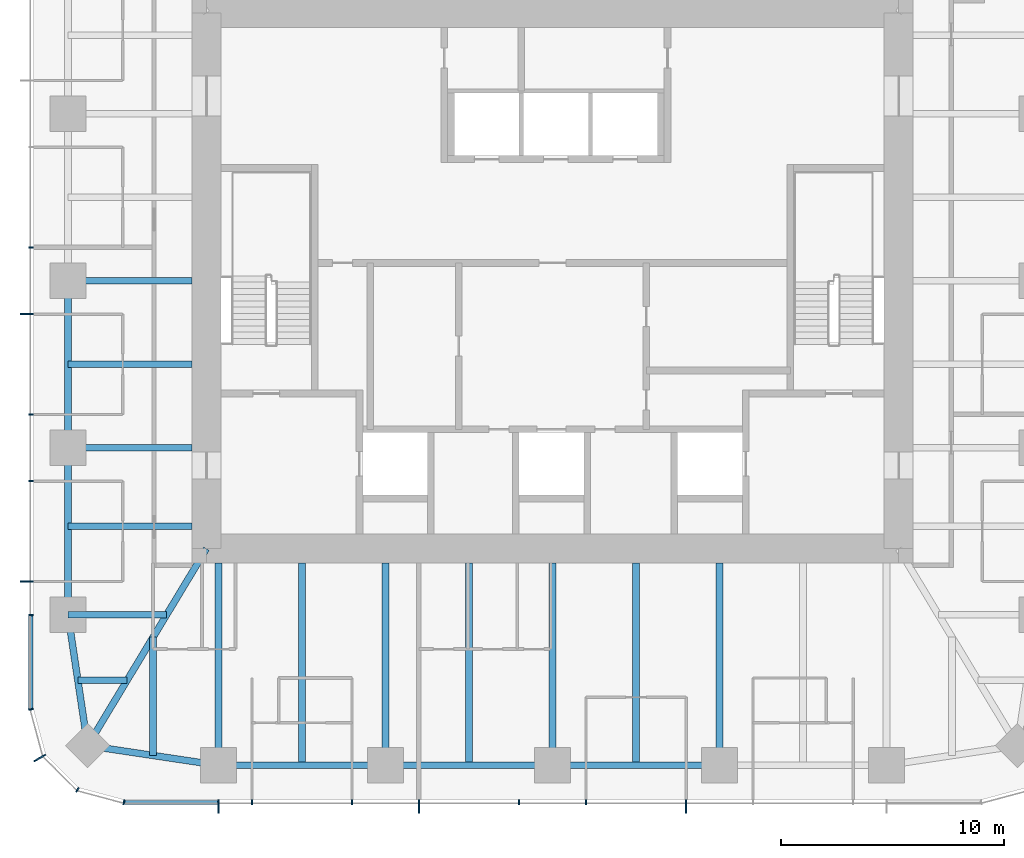
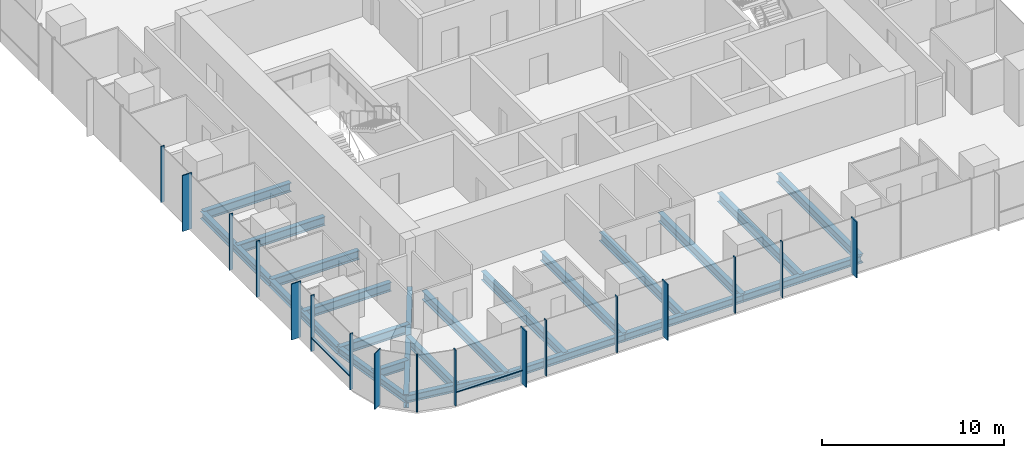
# One storey, part 2 of 12: 22 beams, 19 members, 3 elements without a shape of their own.
"""IFC4 building model written with IfcOpenShell, lengths in metres."""

from ifc_helpers import new_model, si_unit, direction, frame, origin, origin_2d, place, context, subcontext, project, spatial, rectangle, i_section, extrude, material, material_profile, profile_set, type_object, element, aggregate, save


model = new_model("IFC4")

# Units and contexts
model_context = context("Model", 3, precision=1e-05, world=origin(), true_north=direction((0.0, 1.0)))
body_context = subcontext(model_context, "Body", "Model", "MODEL_VIEW")
ifc_project = project(units=[si_unit("LENGTHUNIT", "METRE"), si_unit("AREAUNIT", "SQUARE_METRE"), si_unit("VOLUMEUNIT", "CUBIC_METRE"), si_unit("PLANEANGLEUNIT", "RADIAN"), si_unit("MASSUNIT", "GRAM", prefix="KILO")], contexts=[model_context])

# Site, building, storey
site_placement = place(None, origin())
site = spatial("IfcSite", under=ifc_project, at=site_placement, CompositionType="ELEMENT")
building_placement = place(site_placement, origin())
building = spatial("IfcBuilding", under=site, at=building_placement, Name="Khuree Lantern Residences", CompositionType="ELEMENT")
storey_placement = place(building_placement, frame((0.0, 0.0, 319.5)))
storey = spatial("IfcBuildingStorey", under=building, at=storey_placement, Name="L80", CompositionType="ELEMENT", Elevation=319.5)

# Beams
ifc_material_1 = material(Name="Steel S355", Category="steel")
ifc_material_profile_1 = material_profile(ifc_material_1, i_section(OverallWidth=0.300048828125, OverallDepth=0.590087890625, WebThickness=0.012939453125, FlangeThickness=0.02490234375, FilletRadius=0.027099609375, at=origin_2d()), Name="HE 600 A")
ifc_profile_set_1 = profile_set([ifc_material_profile_1], Name="Steel S355")
beam_type_1 = type_object("IfcBeamType", Name="B-43 SECONDARY BEAM HE 600 A", PredefinedType="BEAM", material=ifc_profile_set_1)
for number, where, z_axis, x_axis, name in (
    (1, (3.739990234375, -21.699951171875, -0.544921875), (0.0, 1.0, 0.0), (-1.0, 0.0, 0.0), "Secondary beam S3"),
    (2, (-3.739990234375, -21.699951171875, -0.544921875), (0.0, 1.0, 0.0), (-1.0, 0.0, 0.0), "Secondary beam S4"),
    (3, (-11.219970703125, -21.699951171875, -0.544921875), (0.0, 1.0, 0.0), (-1.0, 0.0, 0.0), "Secondary beam S5"),
):
    element("IfcBeam", number, at=place(storey_placement, frame(where, z_axis=z_axis, x_axis=x_axis)), inside=storey, type_object=beam_type_1, Name=name, PredefinedType="BEAM", context=body_context, shape_type="SweptSolid", body=[
        extrude(i_section(OverallWidth=0.300048828125, OverallDepth=0.590087890625, WebThickness=0.012939453125, FlangeThickness=0.02490234375, FilletRadius=0.027099609375, at=origin_2d()), origin(), (0.0, 0.0, 1.0), 9.050048828125),
    ])
beam_1_placement = place(storey_placement, frame((-17.890625, -21.2607421875, -0.544921875), z_axis=(0.0, 1.0, 0.0), x_axis=(-1.0, 0.0, 0.0)))
element("IfcBeam", 4, at=beam_1_placement, inside=storey, type_object=beam_type_1, Name="Secondary beam S6", PredefinedType="BEAM", context=body_context, shape_type="SweptSolid", body=[
    extrude(i_section(OverallWidth=0.300048828125, OverallDepth=0.590087890625, WebThickness=0.012939453125, FlangeThickness=0.02490234375, FilletRadius=0.027099609375, at=origin_2d()), origin(), (0.0, 0.0, 1.0), 5.297607421875),
])
beam_2_placement = place(storey_placement, frame((-21.2607421875, -17.890625, -0.544921875), z_axis=(1.0, 0.0, 0.0), x_axis=(0.0, 1.0, 0.0)))
element("IfcBeam", 5, at=beam_2_placement, inside=storey, type_object=beam_type_1, Name="Secondary beam W1", PredefinedType="BEAM", context=body_context, shape_type="SweptSolid", body=[
    extrude(i_section(OverallWidth=0.300048828125, OverallDepth=0.590087890625, WebThickness=0.012939453125, FlangeThickness=0.02490234375, FilletRadius=0.027099609375, at=origin_2d()), origin(), (0.0, 0.0, 1.0), 2.207275390625),
])
for number, where, z_axis, x_axis, name in (
    (6, (-21.699951171875, -11.0, -0.544921875), (1.0, 0.0, 0.0), (0.0, 1.0, 0.0), "Secondary beam W2"),
    (7, (-21.699951171875, -3.739990234375, -0.544921875), (1.0, 0.0, 0.0), (0.0, 1.0, 0.0), "Secondary beam W3"),
):
    element("IfcBeam", number, at=place(storey_placement, frame(where, z_axis=z_axis, x_axis=x_axis)), inside=storey, type_object=beam_type_1, Name=name, PredefinedType="BEAM", context=body_context, shape_type="SweptSolid", body=[
        extrude(i_section(OverallWidth=0.300048828125, OverallDepth=0.590087890625, WebThickness=0.012939453125, FlangeThickness=0.02490234375, FilletRadius=0.027099609375, at=origin_2d()), origin(), (0.0, 0.0, 1.0), 5.550048828125),
    ])
ifc_material_profile_2 = material_profile(ifc_material_1, i_section(OverallWidth=0.300048828125, OverallDepth=0.489990234375, WebThickness=0.011962890625, FlangeThickness=0.02294921875, FilletRadius=0.027099609375, at=origin_2d()), Name="HE 500 A")
ifc_profile_set_2 = profile_set([ifc_material_profile_2], Name="Steel S355")
beam_type_2 = type_object("IfcBeamType", Name="E-43 SPANDREL BEAM HE 500 A", PredefinedType="SPANDREL", material=ifc_profile_set_2)
for number, where, z_axis, x_axis, name in (
    (8, (7.47998046875, -21.699951171875, -0.4951171875), (-1.0, 0.0, 0.0), (0.0, -1.0, 0.0), "Spandrel beam S3"),
    (9, (0.0, -21.699951171875, -0.4951171875), (-1.0, 0.0, 0.0), (0.0, -1.0, 0.0), "Spandrel beam S4"),
    (10, (-7.47998046875, -21.699951171875, -0.4951171875), (-1.0, 0.0, 0.0), (0.0, -1.0, 0.0), "Spandrel beam S5"),
):
    element("IfcBeam", number, at=place(storey_placement, frame(where, z_axis=z_axis, x_axis=x_axis)), inside=storey, type_object=beam_type_2, Name=name, PredefinedType="SPANDREL", context=body_context, shape_type="SweptSolid", body=[
        extrude(i_section(OverallWidth=0.300048828125, OverallDepth=0.489990234375, WebThickness=0.011962890625, FlangeThickness=0.02294921875, FilletRadius=0.027099609375, at=origin_2d()), origin(), (0.0, 0.0, 1.0), 7.47998046875),
    ])
for number, where, z_axis, x_axis, name in (
    (11, (-14.9599609375, -21.699951171875, -0.4951171875), (-0.988949643299, 0.148251822985, 0.0), (-0.148251822985, -0.988949643299, 0.0), "Spandrel beam S6"),
    (12, (-20.8212890625, -20.8212890625, -0.4951171875), (-0.148251822985, 0.988949643299, 0.0), (-0.988949643299, -0.148251822985, 0.0), "Spandrel beam W1"),
):
    element("IfcBeam", number, at=place(storey_placement, frame(where, z_axis=z_axis, x_axis=x_axis)), inside=storey, type_object=beam_type_2, Name=name, PredefinedType="SPANDREL", context=body_context, shape_type="SweptSolid", body=[
        extrude(i_section(OverallWidth=0.300048828125, OverallDepth=0.489990234375, WebThickness=0.011962890625, FlangeThickness=0.02294921875, FilletRadius=0.027099609375, at=origin_2d()), origin(), (0.0, 0.0, 1.0), 5.9267578125),
    ])
for number, where, z_axis, x_axis, name in (
    (13, (-21.699951171875, -14.9599609375, -0.4951171875), (0.0, 1.0, 0.0), (-1.0, 0.0, 0.0), "Spandrel beam W2"),
    (14, (-21.699951171875, -7.47998046875, -0.4951171875), (0.0, 1.0, 0.0), (-1.0, 0.0, 0.0), "Spandrel beam W3"),
):
    element("IfcBeam", number, at=place(storey_placement, frame(where, z_axis=z_axis, x_axis=x_axis)), inside=storey, type_object=beam_type_2, Name=name, PredefinedType="SPANDREL", context=body_context, shape_type="SweptSolid", body=[
        extrude(i_section(OverallWidth=0.300048828125, OverallDepth=0.489990234375, WebThickness=0.011962890625, FlangeThickness=0.02294921875, FilletRadius=0.027099609375, at=origin_2d()), origin(), (0.0, 0.0, 1.0), 7.47998046875),
    ])

# Curtain wall, members
ifc_material_2 = material(Name="Bronze anodised aluminium", Category="aluminium")
curtain_wall_type_1 = type_object("IfcCurtainWallType", Name="CW-T1 TOWER FACE CURTAIN WALL", PredefinedType="USERDEFINED", material=ifc_material_2)
curtain_wall_1_placement = place(storey_placement, origin())
curtain_wall_1 = element("IfcCurtainWall", 15, at=curtain_wall_1_placement, inside=storey, type_object=curtain_wall_type_1, Name="L80 WEST FACE CURTAIN WALL", ObjectType="Stick-built curtain wall", PredefinedType="USERDEFINED")
ifc_material_profile_3 = material_profile(ifc_material_2, rectangle(XDim=0.06494140625, YDim=0.60009765625, at=origin_2d()), Name="F1 65X600")
ifc_profile_set_3 = profile_set([ifc_material_profile_3], Name="Bronze anodised aluminium")
member_type_1 = type_object("IfcMemberType", Name="F1 BRONZE FIN MULLION TOWER 65X600", PredefinedType="MULLION", material=ifc_profile_set_3)
member_1_placement = place(storey_placement, frame((-23.550048828125, -1.49609375, 0.0), z_axis=(0.0, 0.0, 1.0), x_axis=(0.0, -1.0, 0.0)))
member_1 = element("IfcMember", 16, at=member_1_placement, type_object=member_type_1, Name="L80 WEST FACE FIN MULLION 38", PredefinedType="MULLION", context=body_context, shape_type="SweptSolid", body=[
    extrude(rectangle(XDim=0.06494140625, YDim=0.60009765625, at=origin_2d()), origin(), (0.0, 0.0, 1.0), 3.75),
])
member_2_placement = place(storey_placement, frame((-23.550048828125, -13.464111328125, 0.0), z_axis=(0.0, 0.0, 1.0), x_axis=(0.0, -1.0, 0.0)))
member_2 = element("IfcMember", 17, at=member_2_placement, type_object=member_type_1, Name="L80 WEST FACE FIN MULLION 41", PredefinedType="MULLION", context=body_context, shape_type="SweptSolid", body=[
    extrude(rectangle(XDim=0.06494140625, YDim=0.60009765625, at=origin_2d()), origin(), (0.0, 0.0, 1.0), 3.75),
])

# Curtain wall, member
curtain_wall_type_2 = type_object("IfcCurtainWallType", Name="CW-T2 TOWER CORNER CURTAIN WALL", PredefinedType="USERDEFINED", material=ifc_material_2)
curtain_wall_2_placement = place(storey_placement, origin())
curtain_wall_2 = element("IfcCurtainWall", 18, at=curtain_wall_2_placement, inside=storey, type_object=curtain_wall_type_2, Name="L80 SOUTH-WEST CORNER CURTAIN WALL", ObjectType="Faceted corner curtain wall", PredefinedType="USERDEFINED")
member_3_placement = place(storey_placement, frame((-22.96728515625, -21.375, 0.0), z_axis=(0.0, 0.0, 1.0), x_axis=(0.49999994149, -0.866025437565, 0.0)))
member_3 = element("IfcMember", 19, at=member_3_placement, type_object=member_type_1, Name="L80 SOUTH-WEST CORNER FIN MULLION 44", PredefinedType="MULLION", context=body_context, shape_type="SweptSolid", body=[
    extrude(rectangle(XDim=0.06494140625, YDim=0.60009765625, at=origin_2d()), origin(), (0.0, 0.0, 1.0), 3.75),
])

# Curtain wall, members
curtain_wall_3_placement = place(storey_placement, origin())
curtain_wall_3 = element("IfcCurtainWall", 20, at=curtain_wall_3_placement, inside=storey, type_object=curtain_wall_type_1, Name="L80 SOUTH FACE CURTAIN WALL", ObjectType="Stick-built curtain wall", PredefinedType="USERDEFINED")
member_4_placement = place(storey_placement, frame((-14.9599609375, -23.550048828125, 0.0), z_axis=(0.0, 0.0, 1.0), x_axis=(1.0, 0.0, 0.0)))
member_4 = element("IfcMember", 21, at=member_4_placement, type_object=member_type_1, Name="L80 SOUTH FACE FIN MULLION 47", PredefinedType="MULLION", context=body_context, shape_type="SweptSolid", body=[
    extrude(rectangle(XDim=0.06494140625, YDim=0.60009765625, at=origin_2d()), origin(), (0.0, 0.0, 1.0), 3.75),
])
member_5_placement = place(storey_placement, frame((-5.98388671875, -23.550048828125, 0.0), z_axis=(0.0, 0.0, 1.0), x_axis=(1.0, 0.0, 0.0)))
member_5 = element("IfcMember", 22, at=member_5_placement, type_object=member_type_1, Name="L80 SOUTH FACE FIN MULLION 50", PredefinedType="MULLION", context=body_context, shape_type="SweptSolid", body=[
    extrude(rectangle(XDim=0.06494140625, YDim=0.60009765625, at=origin_2d()), origin(), (0.0, 0.0, 1.0), 3.75),
])
member_6_placement = place(storey_placement, frame((5.98388671875, -23.550048828125, 0.0), z_axis=(0.0, 0.0, 1.0), x_axis=(1.0, 0.0, 0.0)))
member_6 = element("IfcMember", 23, at=member_6_placement, type_object=member_type_1, Name="L80 SOUTH FACE FIN MULLION 53", PredefinedType="MULLION", context=body_context, shape_type="SweptSolid", body=[
    extrude(rectangle(XDim=0.06494140625, YDim=0.60009765625, at=origin_2d()), origin(), (0.0, 0.0, 1.0), 3.75),
])

# Beams
ifc_material_profile_4 = material_profile(ifc_material_1, i_section(OverallWidth=0.300048828125, OverallDepth=0.60009765625, WebThickness=0.015380859375, FlangeThickness=0.030029296875, FilletRadius=0.027099609375, at=origin_2d()), Name="HE 600 B")
ifc_profile_set_4 = profile_set([ifc_material_profile_4], Name="Steel S355")
beam_type_3 = type_object("IfcBeamType", Name="G-43 GIRDER HE 600 B", PredefinedType="BEAM", material=ifc_profile_set_4)
for number, where, z_axis, x_axis, name in (
    (24, (7.47998046875, -21.699951171875, -0.550048828125), (0.0, 1.0, 0.0), (-1.0, 0.0, 0.0), "Girder S2"),
    (25, (0.0, -21.699951171875, -0.550048828125), (0.0, 1.0, 0.0), (-1.0, 0.0, 0.0), "Girder S3"),
    (26, (-7.47998046875, -21.699951171875, -0.550048828125), (0.0, 1.0, 0.0), (-1.0, 0.0, 0.0), "Girder S4"),
    (27, (-14.9599609375, -21.699951171875, -0.550048828125), (0.0, 1.0, 0.0), (-1.0, 0.0, 0.0), "Girder S5"),
):
    element("IfcBeam", number, at=place(storey_placement, frame(where, z_axis=z_axis, x_axis=x_axis)), inside=storey, type_object=beam_type_3, Name=name, PredefinedType="BEAM", context=body_context, shape_type="SweptSolid", body=[
        extrude(i_section(OverallWidth=0.300048828125, OverallDepth=0.60009765625, WebThickness=0.015380859375, FlangeThickness=0.030029296875, FilletRadius=0.027099609375, at=origin_2d()), origin(), (0.0, 0.0, 1.0), 9.050048828125),
    ])
beam_3_placement = place(storey_placement, frame((-21.699951171875, -14.9599609375, -0.550048828125), z_axis=(1.0, 0.0, 0.0), x_axis=(0.0, 1.0, 0.0)))
element("IfcBeam", 28, at=beam_3_placement, inside=storey, type_object=beam_type_3, Name="Girder W1", PredefinedType="BEAM", context=body_context, shape_type="SweptSolid", body=[
    extrude(i_section(OverallWidth=0.300048828125, OverallDepth=0.60009765625, WebThickness=0.015380859375, FlangeThickness=0.030029296875, FilletRadius=0.027099609375, at=origin_2d()), origin(), (0.0, 0.0, 1.0), 4.414306640625),
])
for number, where, z_axis, x_axis, name in (
    (29, (-21.699951171875, -7.47998046875, -0.550048828125), (1.0, 0.0, 0.0), (0.0, 1.0, 0.0), "Girder W2"),
    (30, (-21.699951171875, 0.0, -0.550048828125), (1.0, 0.0, 0.0), (0.0, 1.0, 0.0), "Girder W3"),
):
    element("IfcBeam", number, at=place(storey_placement, frame(where, z_axis=z_axis, x_axis=x_axis)), inside=storey, type_object=beam_type_3, Name=name, PredefinedType="BEAM", context=body_context, shape_type="SweptSolid", body=[
        extrude(i_section(OverallWidth=0.300048828125, OverallDepth=0.60009765625, WebThickness=0.015380859375, FlangeThickness=0.030029296875, FilletRadius=0.027099609375, at=origin_2d()), origin(), (0.0, 0.0, 1.0), 5.550048828125),
    ])
ifc_material_profile_5 = material_profile(ifc_material_1, i_section(OverallWidth=0.300048828125, OverallDepth=0.89990234375, WebThickness=0.0185546875, FlangeThickness=0.034912109375, FilletRadius=0.030029296875, at=origin_2d()), Name="HE 900 B")
ifc_profile_set_5 = profile_set([ifc_material_profile_5], Name="Steel S355")
beam_type_4 = type_object("IfcBeamType", Name="GD-43 CORNER GIRDER HE 900 B", PredefinedType="BEAM", material=ifc_profile_set_5)
beam_4_placement = place(storey_placement, frame((-20.8212890625, -20.8212890625, -0.699951171875), z_axis=(0.516529577604, 0.856269347495, 0.0), x_axis=(-0.856269347495, 0.516529577604, 0.0)))
element("IfcBeam", 31, at=beam_4_placement, inside=storey, type_object=beam_type_4, Name="Corner girder SW", PredefinedType="BEAM", context=body_context, shape_type="SweptSolid", body=[
    extrude(i_section(OverallWidth=0.300048828125, OverallDepth=0.89990234375, WebThickness=0.0185546875, FlangeThickness=0.034912109375, FilletRadius=0.030029296875, at=origin_2d()), origin(), (0.0, 0.0, 1.0), 10.302001953125),
])

# Member
ifc_material_profile_6 = material_profile(ifc_material_2, rectangle(XDim=0.06494140625, YDim=0.219970703125, at=origin_2d()), Name="M1 65X220")
ifc_profile_set_6 = profile_set([ifc_material_profile_6], Name="Bronze anodised aluminium")
member_type_2 = type_object("IfcMemberType", Name="M1 BRONZE MULLION TOWER 65X220", PredefinedType="MULLION", material=ifc_profile_set_6)
member_7_placement = place(storey_placement, frame((-23.360107421875, 1.49609375, 0.0), z_axis=(0.0, 0.0, 1.0), x_axis=(0.0, -1.0, 0.0)))
member_7 = element("IfcMember", 32, at=member_7_placement, type_object=member_type_2, Name="L80 WEST FACE MULLION 37", PredefinedType="MULLION", context=body_context, shape_type="SweptSolid", body=[
    extrude(rectangle(XDim=0.06494140625, YDim=0.219970703125, at=origin_2d()), origin(), (0.0, 0.0, 1.0), 3.75),
])

member_8_placement = place(storey_placement, frame((-23.360107421875, -5.98388671875, 0.0), z_axis=(0.0, 0.0, 1.0), x_axis=(0.0, -1.0, 0.0)))
member_8 = element("IfcMember", 33, at=member_8_placement, type_object=member_type_2, Name="L80 WEST FACE MULLION 39", PredefinedType="MULLION", context=body_context, shape_type="SweptSolid", body=[
    extrude(rectangle(XDim=0.06494140625, YDim=0.219970703125, at=origin_2d()), origin(), (0.0, 0.0, 1.0), 3.75),
])

member_9_placement = place(storey_placement, frame((-23.360107421875, -8.97607421875, 0.0), z_axis=(0.0, 0.0, 1.0), x_axis=(0.0, -1.0, 0.0)))
member_9 = element("IfcMember", 34, at=member_9_placement, type_object=member_type_2, Name="L80 WEST FACE MULLION 40", PredefinedType="MULLION", context=body_context, shape_type="SweptSolid", body=[
    extrude(rectangle(XDim=0.06494140625, YDim=0.219970703125, at=origin_2d()), origin(), (0.0, 0.0, 1.0), 3.75),
])

member_10_placement = place(storey_placement, frame((-23.360107421875, -14.9599609375, 0.0), z_axis=(0.0, 0.0, 1.0), x_axis=(0.0, -1.0, 0.0)))
member_10 = element("IfcMember", 35, at=member_10_placement, type_object=member_type_2, Name="L80 WEST FACE MULLION 42", PredefinedType="MULLION", context=body_context, shape_type="SweptSolid", body=[
    extrude(rectangle(XDim=0.06494140625, YDim=0.219970703125, at=origin_2d()), origin(), (0.0, 0.0, 1.0), 3.75),
])

member_11_placement = place(storey_placement, frame((-23.36181640625, -19.195068359375, 0.0), z_axis=(0.0, 0.0, 1.0), x_axis=(0.130526125236, -0.991444870192, 0.0)))
member_11 = element("IfcMember", 36, at=member_11_placement, type_object=member_type_2, Name="L80 SOUTH-WEST CORNER MULLION 43", PredefinedType="MULLION", context=body_context, shape_type="SweptSolid", body=[
    extrude(rectangle(XDim=0.06494140625, YDim=0.219970703125, at=origin_2d()), origin(), (0.0, 0.0, 1.0), 3.75),
])

member_12_placement = place(storey_placement, frame((-21.280029296875, -22.802734375, 0.0), z_axis=(0.0, 0.0, 1.0), x_axis=(0.866025437565, -0.49999994149, 0.0)))
member_12 = element("IfcMember", 37, at=member_12_placement, type_object=member_type_2, Name="L80 SOUTH-WEST CORNER MULLION 45", PredefinedType="MULLION", context=body_context, shape_type="SweptSolid", body=[
    extrude(rectangle(XDim=0.06494140625, YDim=0.219970703125, at=origin_2d()), origin(), (0.0, 0.0, 1.0), 3.75),
])

aggregate(curtain_wall_2, [member_11, member_3, member_12])

member_13_placement = place(storey_placement, frame((-19.195068359375, -23.36181640625, 0.0), z_axis=(0.0, 0.0, 1.0), x_axis=(0.991444870192, -0.130526125236, 0.0)))
member_13 = element("IfcMember", 38, at=member_13_placement, type_object=member_type_2, Name="L80 SOUTH FACE MULLION 46", PredefinedType="MULLION", context=body_context, shape_type="SweptSolid", body=[
    extrude(rectangle(XDim=0.06494140625, YDim=0.219970703125, at=origin_2d()), origin(), (0.0, 0.0, 1.0), 3.75),
])

member_14_placement = place(storey_placement, frame((-13.464111328125, -23.360107421875, 0.0), z_axis=(0.0, 0.0, 1.0), x_axis=(1.0, 0.0, 0.0)))
member_14 = element("IfcMember", 39, at=member_14_placement, type_object=member_type_2, Name="L80 SOUTH FACE MULLION 48", PredefinedType="MULLION", context=body_context, shape_type="SweptSolid", body=[
    extrude(rectangle(XDim=0.06494140625, YDim=0.219970703125, at=origin_2d()), origin(), (0.0, 0.0, 1.0), 3.75),
])

member_15_placement = place(storey_placement, frame((-8.97607421875, -23.360107421875, 0.0), z_axis=(0.0, 0.0, 1.0), x_axis=(1.0, 0.0, 0.0)))
member_15 = element("IfcMember", 40, at=member_15_placement, type_object=member_type_2, Name="L80 SOUTH FACE MULLION 49", PredefinedType="MULLION", context=body_context, shape_type="SweptSolid", body=[
    extrude(rectangle(XDim=0.06494140625, YDim=0.219970703125, at=origin_2d()), origin(), (0.0, 0.0, 1.0), 3.75),
])

member_16_placement = place(storey_placement, frame((-1.49609375, -23.360107421875, 0.0), z_axis=(0.0, 0.0, 1.0), x_axis=(1.0, 0.0, 0.0)))
member_16 = element("IfcMember", 41, at=member_16_placement, type_object=member_type_2, Name="L80 SOUTH FACE MULLION 51", PredefinedType="MULLION", context=body_context, shape_type="SweptSolid", body=[
    extrude(rectangle(XDim=0.06494140625, YDim=0.219970703125, at=origin_2d()), origin(), (0.0, 0.0, 1.0), 3.75),
])

member_17_placement = place(storey_placement, frame((1.49609375, -23.360107421875, 0.0), z_axis=(0.0, 0.0, 1.0), x_axis=(1.0, 0.0, 0.0)))
member_17 = element("IfcMember", 42, at=member_17_placement, type_object=member_type_2, Name="L80 SOUTH FACE MULLION 52", PredefinedType="MULLION", context=body_context, shape_type="SweptSolid", body=[
    extrude(rectangle(XDim=0.06494140625, YDim=0.219970703125, at=origin_2d()), origin(), (0.0, 0.0, 1.0), 3.75),
])

ifc_material_profile_7 = material_profile(ifc_material_2, rectangle(XDim=0.179931640625, YDim=0.06494140625, at=origin_2d()), Name="T1 180X65")
ifc_profile_set_7 = profile_set([ifc_material_profile_7], Name="Bronze anodised aluminium")
member_type_3 = type_object("IfcMemberType", Name="TRANSOM T1 TOWER 180X65", PredefinedType="USERDEFINED", material=ifc_profile_set_7)
member_18_placement = place(storey_placement, frame((-23.3701171875, -14.992431640625, 0.89990234375), z_axis=(0.0, -1.0, 0.0), x_axis=(1.0, 0.0, 0.0)))
member_18 = element("IfcMember", 43, at=member_18_placement, type_object=member_type_3, Name="L80 WEST FACE TRANSOM 42.1", ObjectType="Transom", PredefinedType="USERDEFINED", context=body_context, shape_type="SweptSolid", body=[
    extrude(rectangle(XDim=0.179931640625, YDim=0.06494140625, at=origin_2d()), origin(), (0.0, 0.0, 1.0), 4.158935546875),
])

aggregate(curtain_wall_1, [member_7, member_1, member_8, member_9, member_2, member_10, member_18])

member_19_placement = place(storey_placement, frame((-19.1513671875, -23.3701171875, 0.89990234375), z_axis=(1.0, 0.0, 0.0), x_axis=(0.0, 1.0, 0.0)))
member_19 = element("IfcMember", 44, at=member_19_placement, type_object=member_type_3, Name="L80 SOUTH FACE TRANSOM 46.1", ObjectType="Transom", PredefinedType="USERDEFINED", context=body_context, shape_type="SweptSolid", body=[
    extrude(rectangle(XDim=0.179931640625, YDim=0.06494140625, at=origin_2d()), origin(), (0.0, 0.0, 1.0), 4.158935546875),
])

aggregate(curtain_wall_3, [member_13, member_4, member_14, member_15, member_5, member_16, member_17, member_6, member_19])

save(model, "model.ifc")
